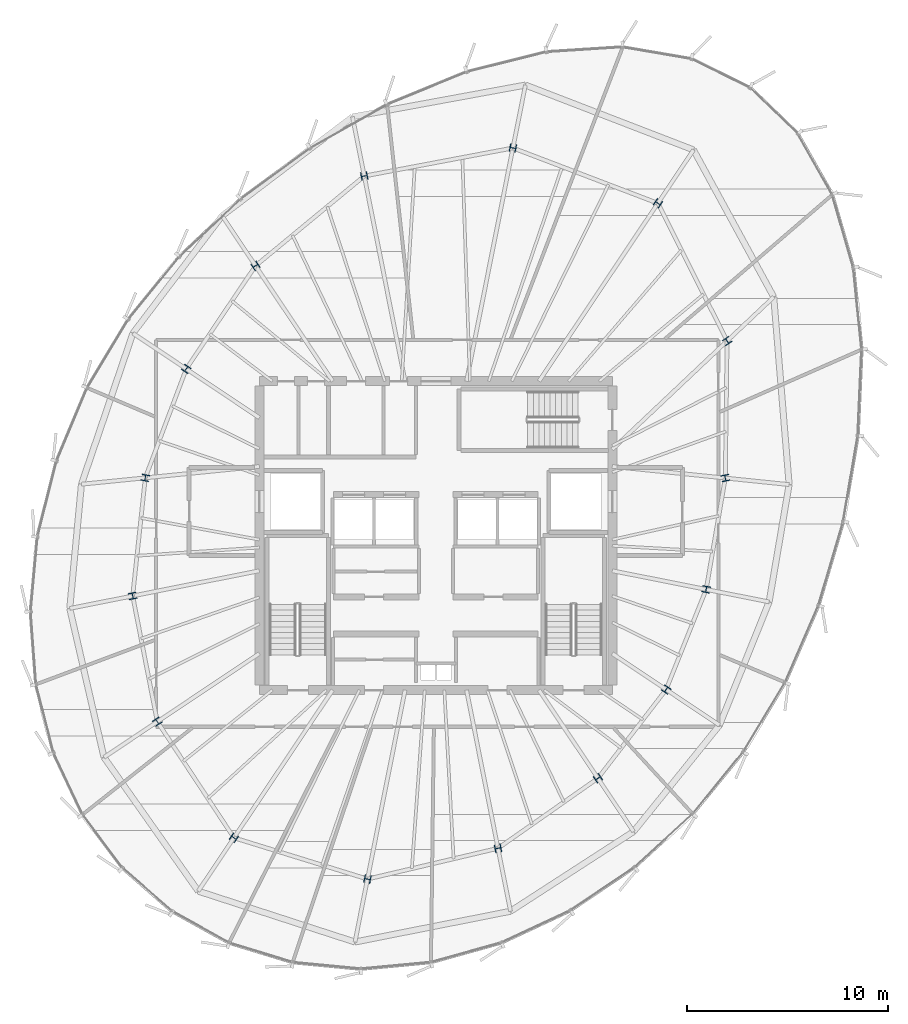
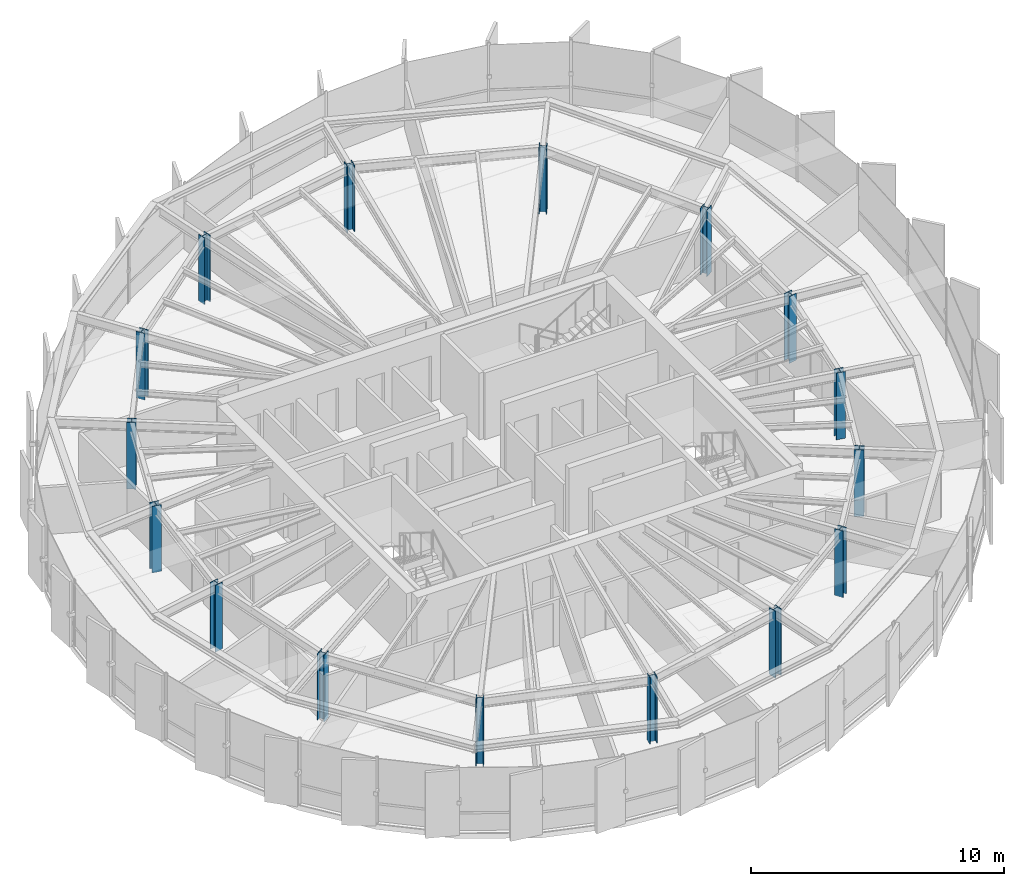
# One storey, part 1 of 33: 16 columns.
"""IFC4 building model written with IfcOpenShell, lengths in metres."""

from ifc_helpers import new_model, si_unit, direction, frame, origin, origin_2d, place, context, subcontext, project, spatial, i_section, extrude, source, transform, mapped, material, material_profile, profile_set, type_object, element, save


model = new_model("IFC4")

# Units and contexts
model_context = context("Model", 3, precision=1e-05, world=origin(), true_north=direction((0.0, 1.0)))
body_context = subcontext(model_context, "Body", "Model", "MODEL_VIEW")
ifc_project = project(units=[si_unit("LENGTHUNIT", "METRE"), si_unit("AREAUNIT", "SQUARE_METRE"), si_unit("VOLUMEUNIT", "CUBIC_METRE"), si_unit("PLANEANGLEUNIT", "RADIAN"), si_unit("MASSUNIT", "GRAM", prefix="KILO"), si_unit("THERMODYNAMICTEMPERATUREUNIT", "KELVIN")], contexts=[model_context])

# Site, building, storey
site_placement = place(None, origin())
site = spatial("IfcSite", under=ifc_project, at=site_placement, CompositionType="ELEMENT")
building_placement = place(site_placement, origin())
building = spatial("IfcBuilding", under=site, at=building_placement, Name="Kethvar Cultural Tower", CompositionType="ELEMENT")
storey_placement = place(building_placement, frame((0.0, 0.0, 256.0)))
storey = spatial("IfcBuildingStorey", under=building, at=storey_placement, Name="L67", CompositionType="ELEMENT", Elevation=256.0)

# Columns
ifc_material = material(Name="Steel S460M", Category="steel")
ifc_material_profile = material_profile(ifc_material, i_section(OverallWidth=0.386962890625, OverallDepth=0.31591796875, WebThickness=0.0185546875, FlangeThickness=0.028076171875, FilletRadius=0.014892578125, at=origin_2d()), Name="Steel S460M — HD400x382")
ifc_profile_set = profile_set([ifc_material_profile], Name="Steel S460M — HD400x382")
column_type = type_object("IfcColumnType", Name="COL-HD382", PredefinedType="COLUMN", material=ifc_profile_set)
shared_shape = source(origin(), body_context, "Body", "SweptSolid", [
    extrude(i_section(OverallWidth=0.386962890625, OverallDepth=0.31591796875, WebThickness=0.0185546875, FlangeThickness=0.028076171875, FilletRadius=0.014892578125, at=origin_2d()), origin(), (0.0, 0.0, 1.0), 3.2099609375),
])
for number, where, z_axis, x_axis, name in (
    (1, (61.237060546875, 30.671630859375, 0.0), (0.0, 0.0, 1.0), (0.980785280403, 0.195090322016, 0.0), "L67 Mega-Column MC-01"),
    (2, (61.32568359375, 37.505859375, 0.0), (0.0, 0.0, 1.0), (0.831469612303, 0.55557023302, 0.0), "L67 Mega-Column MC-02"),
    (3, (57.875244140625, 44.375, 0.0), (0.0, 0.0, 1.0), (0.55557023302, 0.831469612303, 0.0), "L67 Mega-Column MC-03"),
    (4, (50.645263671875, 47.131591796875, 0.0), (0.0, 0.0, 1.0), (0.195090322016, 0.980785280403, 0.0), "L67 Mega-Column MC-04"),
    (5, (43.23291015625, 45.732421875, 0.0), (0.0, 0.0, 1.0), (-0.195090322016, 0.980785280403, 0.0), "L67 Mega-Column MC-05"),
    (6, (37.8095703125, 41.255126953125, 0.0), (0.0, 0.0, 1.0), (-0.55557023302, 0.831469612303, 0.0), "L67 Mega-Column MC-06"),
    (7, (34.35595703125, 36.114990234375, 0.0), (0.0, 0.0, 1.0), (-0.831469612303, 0.55557023302, 0.0), "L67 Mega-Column MC-07"),
    (8, (32.3125, 30.681884765625, 0.0), (0.0, 0.0, 1.0), (-0.980785280403, 0.195090322016, 0.0), "L67 Mega-Column MC-08"),
    (9, (31.68310546875, 24.79296875, 0.0), (0.0, 0.0, 1.0), (-0.980785280403, -0.195090322016, 0.0), "L67 Mega-Column MC-09"),
    (10, (32.912841796875, 18.52099609375, 0.0), (0.0, 0.0, 1.0), (-0.831469612303, -0.55557023302, 0.0), "L67 Mega-Column MC-10"),
    (11, (36.731201171875, 12.73095703125, 0.0), (0.0, 0.0, 1.0), (-0.55557023302, -0.831469612303, 0.0), "L67 Mega-Column MC-11"),
    (12, (43.392822265625, 10.67138671875, 0.0), (0.0, 0.0, 1.0), (-0.195090322016, -0.980785280403, 0.0), "L67 Mega-Column MC-12"),
    (13, (49.901611328125, 12.206787109375, 0.0), (0.0, 0.0, 1.0), (0.195090322016, -0.980785280403, 0.0), "L67 Mega-Column MC-13"),
    (14, (54.885009765625, 15.7001953125, 0.0), (0.0, 0.0, 1.0), (0.55557023302, -0.831469612303, 0.0), "L67 Mega-Column MC-14"),
    (15, (58.287109375, 20.12451171875, 0.0), (0.0, 0.0, 1.0), (0.831469612303, -0.55557023302, 0.0), "L67 Mega-Column MC-15"),
    (16, (60.28369140625, 25.117919921875, 0.0), (0.0, 0.0, 1.0), (0.980785280403, -0.195090322016, 0.0), "L67 Mega-Column MC-16"),
):
    element("IfcColumn", number, at=place(storey_placement, frame(where, z_axis=z_axis, x_axis=x_axis)), inside=storey, type_object=column_type, Name=name, PredefinedType="COLUMN", context=body_context, shape_type="MappedRepresentation", body=[
        mapped(shared_shape, transform((0.0, 0.0, 0.0), scale=1.0)),
    ])

save(model, "model.ifc")
